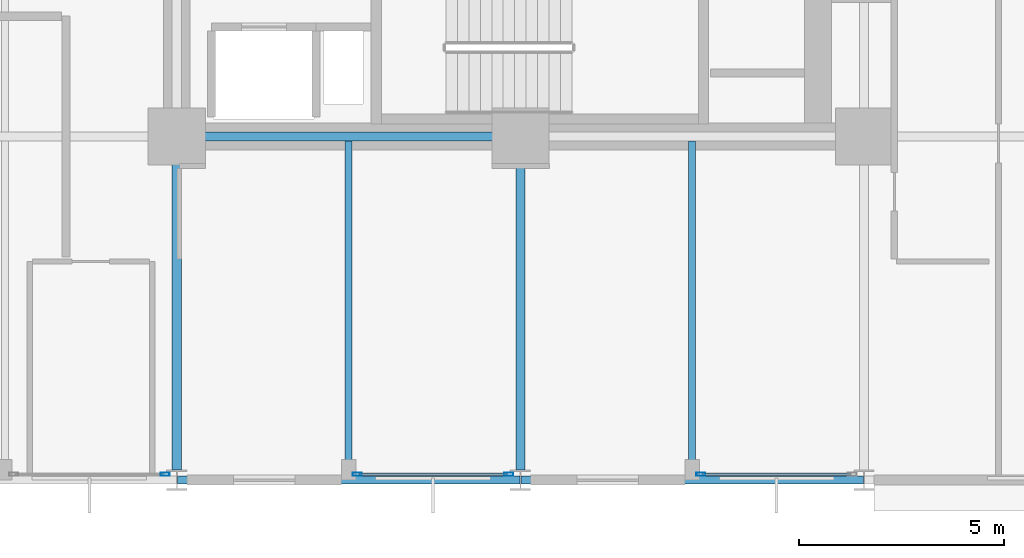
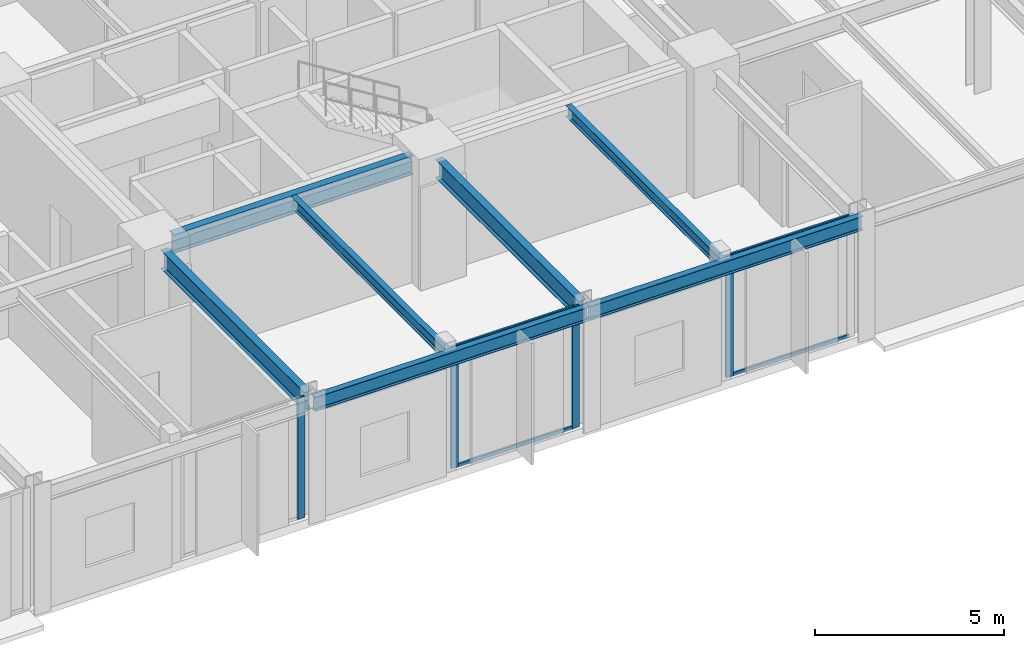
# One storey, part 6 of 30: 8 members, 7 beams, 3 elements without a shape of their own.
"""IFC4 building model written with IfcOpenShell, lengths in metres."""

from ifc_helpers import new_model, si_unit, direction, frame, origin, origin_2d, place, context, subcontext, project, spatial, hollow_rectangle, i_section, extrude, material, layer, layer_set, material_profile, profile_set, type_object, element, aggregate, save


model = new_model("IFC4")

# Units and contexts
model_context = context("Model", 3, precision=1e-05, world=origin(), true_north=direction((0.0, 1.0)))
body_context = subcontext(model_context, "Body", "Model", "MODEL_VIEW")
ifc_project = project(units=[si_unit("LENGTHUNIT", "METRE"), si_unit("AREAUNIT", "SQUARE_METRE"), si_unit("VOLUMEUNIT", "CUBIC_METRE"), si_unit("PLANEANGLEUNIT", "RADIAN"), si_unit("MASSUNIT", "GRAM", prefix="KILO")], contexts=[model_context])

# Site, building, storey
site_placement = place(None, origin())
site = spatial("IfcSite", under=ifc_project, at=site_placement, CompositionType="ELEMENT")
building_placement = place(site_placement, origin())
building = spatial("IfcBuilding", under=site, at=building_placement, Name="Nerrivon Quay Data Exchange", CompositionType="ELEMENT")
storey_placement = place(building_placement, frame((0.0, 0.0, 62.60009765625)))
storey = spatial("IfcBuildingStorey", under=building, at=storey_placement, Name="L14", CompositionType="ELEMENT", Elevation=62.60009765625)

# Beams
ifc_material_1 = material(Name="Steel Grade 350", Category="steel")
ifc_material_profile_1 = material_profile(ifc_material_1, i_section(OverallWidth=0.22900390625, OverallDepth=0.612060546875, WebThickness=0.011962890625, FlangeThickness=0.01953125, FilletRadius=0.013916015625, at=origin_2d()), Name="610UB125")
ifc_profile_set_1 = profile_set([ifc_material_profile_1], Name="Steel Grade 350")
beam_type_1 = type_object("IfcBeamType", Name="BM-G1-610UB125", PredefinedType="BEAM", material=ifc_profile_set_1)
beam_1_placement = place(storey_placement, frame((17.340087890625, 8.39990234375, 3.618896484375), z_axis=(1.0, 0.0, 0.0), x_axis=(0.0, 1.0, 0.0)))
element("IfcBeam", 1, at=beam_1_placement, inside=storey, type_object=beam_type_1, Name="L14 EW Girder Y=8.4 (16.8..25.2)", PredefinedType="BEAM", context=body_context, shape_type="SweptSolid", body=[
    extrude(i_section(OverallWidth=0.22900390625, OverallDepth=0.612060546875, WebThickness=0.011962890625, FlangeThickness=0.01953125, FilletRadius=0.013916015625, at=origin_2d()), origin(), (0.0, 0.0, 1.0), 7.31982421875),
])
ifc_material_profile_2 = material_profile(ifc_material_1, i_section(OverallWidth=0.22802734375, OverallDepth=0.60205078125, WebThickness=0.010498046875, FlangeThickness=0.014892578125, FilletRadius=0.013916015625, at=origin_2d()), Name="610UB101")
ifc_profile_set_2 = profile_set([ifc_material_profile_2], Name="Steel Grade 350")
beam_type_2 = type_object("IfcBeamType", Name="BM-G2-610UB101", PredefinedType="BEAM", material=ifc_profile_set_2)
for number, where, z_axis, x_axis, name in (
    (2, (16.800048828125, 0.25, 3.6240234375), (0.0, 1.0, 0.0), (-1.0, 0.0, 0.0), "L14 NS Girder X=16.8 (0.0..8.4)"),
    (3, (25.199951171875, 0.25, 3.6240234375), (0.0, 1.0, 0.0), (-1.0, 0.0, 0.0), "L14 NS Girder X=25.2 (0.0..8.4)"),
):
    element("IfcBeam", number, at=place(storey_placement, frame(where, z_axis=z_axis, x_axis=x_axis)), inside=storey, type_object=beam_type_2, Name=name, PredefinedType="BEAM", context=body_context, shape_type="SweptSolid", body=[
        extrude(i_section(OverallWidth=0.22802734375, OverallDepth=0.60205078125, WebThickness=0.010498046875, FlangeThickness=0.014892578125, FilletRadius=0.013916015625, at=origin_2d()), origin(), (0.0, 0.0, 1.0), 7.610107421875),
    ])
ifc_material_profile_3 = material_profile(ifc_material_1, i_section(OverallWidth=0.172119140625, OverallDepth=0.35888671875, WebThickness=0.008056640625, FlangeThickness=0.012939453125, FilletRadius=0.011474609375, at=origin_2d()), Name="360UB56.7")
ifc_profile_set_3 = profile_set([ifc_material_profile_3], Name="Steel Grade 350")
beam_type_3 = type_object("IfcBeamType", Name="BM-J3-360UB57", PredefinedType="JOIST", material=ifc_profile_set_3)
for number, where, z_axis, x_axis, name in (
    (4, (21.0, 0.094970703125, 3.745361328125), (0.0, 1.0, 0.0), (-1.0, 0.0, 0.0), "L14 Secondary Joist X=21.0 (0.0..8.4)"),
    (5, (29.39990234375, 0.094970703125, 3.745361328125), (0.0, 1.0, 0.0), (-1.0, 0.0, 0.0), "L14 Secondary Joist X=29.4 (0.0..8.4)"),
):
    element("IfcBeam", number, at=place(storey_placement, frame(where, z_axis=z_axis, x_axis=x_axis)), inside=storey, type_object=beam_type_3, Name=name, PredefinedType="JOIST", context=body_context, shape_type="SweptSolid", body=[
        extrude(i_section(OverallWidth=0.172119140625, OverallDepth=0.35888671875, WebThickness=0.008056640625, FlangeThickness=0.012939453125, FilletRadius=0.011474609375, at=origin_2d()), origin(), (0.0, 0.0, 1.0), 8.1904296875),
    ])
ifc_material_profile_4 = material_profile(ifc_material_1, i_section(OverallWidth=0.18994140625, OverallDepth=0.4541015625, WebThickness=0.008544921875, FlangeThickness=0.0126953125, FilletRadius=0.011474609375, at=origin_2d()), Name="460UB67.1")
ifc_profile_set_4 = profile_set([ifc_material_profile_4], Name="Steel Grade 350")
beam_type_4 = type_object("IfcBeamType", Name="BM-SP1-460UB67", PredefinedType="SPANDREL", material=ifc_profile_set_4)
beam_2_placement = place(storey_placement, frame((16.81396484375, 0.0, 3.697998046875), z_axis=(1.0, 0.0, 0.0), x_axis=(0.0, 1.0, 0.0)))
element("IfcBeam", 6, at=beam_2_placement, inside=storey, type_object=beam_type_4, Name="L14 EW Girder Y=0.0 (16.8..25.2)", PredefinedType="SPANDREL", context=body_context, shape_type="SweptSolid", body=[
    extrude(i_section(OverallWidth=0.18994140625, OverallDepth=0.4541015625, WebThickness=0.008544921875, FlangeThickness=0.0126953125, FilletRadius=0.011474609375, at=origin_2d()), origin(), (0.0, 0.0, 1.0), 8.3720703125),
])
beam_3_placement = place(storey_placement, frame((25.214111328125, 0.0, 3.697998046875), z_axis=(1.0, 0.0, 0.0), x_axis=(0.0, 1.0, 0.0)))
element("IfcBeam", 7, at=beam_3_placement, inside=storey, type_object=beam_type_4, Name="L14 EW Girder Y=0.0 (25.2..33.6)", PredefinedType="SPANDREL", context=body_context, shape_type="SweptSolid", body=[
    extrude(i_section(OverallWidth=0.18994140625, OverallDepth=0.4541015625, WebThickness=0.008544921875, FlangeThickness=0.0126953125, FilletRadius=0.011474609375, at=origin_2d()), origin(), (0.0, 0.0, 1.0), 8.371826171875),
])

# Curtain wall, member
ifc_material_2 = material(Name="Anodised aluminium 6063-T6", Category="aluminium")
ifc_layer = layer(ifc_material_2, 0.219970703125)
ifc_layer_set = layer_set([ifc_layer], Name="Anodised aluminium 6063-T6")
curtain_wall_type = type_object("IfcCurtainWallType", Name="CW-SYS-01", PredefinedType="NOTDEFINED", material=ifc_layer_set)
curtain_wall_1_placement = place(storey_placement, origin())
curtain_wall_1 = element("IfcCurtainWall", 8, at=curtain_wall_1_placement, inside=storey, type_object=curtain_wall_type, Name="L14 Unitised Curtain Wall 8", PredefinedType="NOTDEFINED")
ifc_material_profile_5 = material_profile(ifc_material_2, hollow_rectangle(XDim=0.074951171875, YDim=0.219970703125, WallThickness=0.00390625, at=origin_2d()), Name="ALU-MULL-220x75")
ifc_profile_set_5 = profile_set([ifc_material_profile_5], Name="Anodised aluminium 6063-T6")
member_type_1 = type_object("IfcMemberType", Name="CWM-220x75", PredefinedType="MULLION", material=ifc_profile_set_5)
member_1_placement = place(storey_placement, frame((29.612548828125, 0.139892578125, 0.0), z_axis=(0.0, 0.0, 1.0), x_axis=(0.0, -1.0, 0.0)))
member_1 = element("IfcMember", 9, at=member_1_placement, type_object=member_type_1, Name="CW01 mullion 2", PredefinedType="MULLION", context=body_context, shape_type="SweptSolid", body=[
    extrude(hollow_rectangle(XDim=0.074951171875, YDim=0.219970703125, WallThickness=0.00390625, at=origin_2d()), origin(), (0.0, 0.0, 1.0), 3.9248046875),
])

# Curtain wall, members
curtain_wall_2_placement = place(storey_placement, origin())
curtain_wall_2 = element("IfcCurtainWall", 10, at=curtain_wall_2_placement, inside=storey, type_object=curtain_wall_type, Name="L14 Unitised Curtain Wall 10", PredefinedType="NOTDEFINED")
member_2_placement = place(storey_placement, frame((24.91259765625, 0.139892578125, 0.0), z_axis=(0.0, 0.0, 1.0), x_axis=(0.0, -1.0, 0.0)))
member_2 = element("IfcMember", 11, at=member_2_placement, type_object=member_type_1, Name="CW01 mullion 1", PredefinedType="MULLION", context=body_context, shape_type="SweptSolid", body=[
    extrude(hollow_rectangle(XDim=0.074951171875, YDim=0.219970703125, WallThickness=0.00390625, at=origin_2d()), origin(), (0.0, 0.0, 1.0), 3.9248046875),
])
member_3_placement = place(storey_placement, frame((21.21240234375, 0.139892578125, 0.0), z_axis=(0.0, 0.0, 1.0), x_axis=(0.0, -1.0, 0.0)))
member_3 = element("IfcMember", 12, at=member_3_placement, type_object=member_type_1, Name="CW01 mullion 2", PredefinedType="MULLION", context=body_context, shape_type="SweptSolid", body=[
    extrude(hollow_rectangle(XDim=0.074951171875, YDim=0.219970703125, WallThickness=0.00390625, at=origin_2d()), origin(), (0.0, 0.0, 1.0), 3.9248046875),
])

# Curtain wall, member
curtain_wall_3_placement = place(storey_placement, origin())
curtain_wall_3 = element("IfcCurtainWall", 13, at=curtain_wall_3_placement, inside=storey, type_object=curtain_wall_type, Name="L14 Unitised Curtain Wall 12", PredefinedType="NOTDEFINED")
member_4_placement = place(storey_placement, frame((16.512451171875, 0.139892578125, 0.0), z_axis=(0.0, 0.0, 1.0), x_axis=(0.0, -1.0, 0.0)))
member_4 = element("IfcMember", 14, at=member_4_placement, type_object=member_type_1, Name="CW01 mullion 1", PredefinedType="MULLION", context=body_context, shape_type="SweptSolid", body=[
    extrude(hollow_rectangle(XDim=0.074951171875, YDim=0.219970703125, WallThickness=0.00390625, at=origin_2d()), origin(), (0.0, 0.0, 1.0), 3.9248046875),
])
aggregate(curtain_wall_3, [member_4])

# Member
ifc_material_profile_6 = material_profile(ifc_material_2, hollow_rectangle(XDim=0.06005859375, YDim=0.1201171875, WallThickness=0.003173828125, at=origin_2d()), Name="ALU-TRAN-120x60")
ifc_profile_set_6 = profile_set([ifc_material_profile_6], Name="Anodised aluminium 6063-T6")
member_type_2 = type_object("IfcMemberType", Name="CWT-120x60", PredefinedType="USERDEFINED", material=ifc_profile_set_6)
member_5_placement = place(storey_placement, frame((33.27490234375, 0.139892578125, 0.032470703125), z_axis=(-1.0, 0.0, 0.0), x_axis=(0.0, -1.0, 0.0)))
member_5 = element("IfcMember", 15, at=member_5_placement, type_object=member_type_2, Name="CW01 transom 1.1", ObjectType="TRANSOM", PredefinedType="USERDEFINED", context=body_context, shape_type="SweptSolid", body=[
    extrude(hollow_rectangle(XDim=0.06005859375, YDim=0.1201171875, WallThickness=0.003173828125, at=origin_2d()), origin(), (0.0, 0.0, 1.0), 3.625),
])

member_6_placement = place(storey_placement, frame((33.27490234375, 0.139892578125, 3.892333984375), z_axis=(-1.0, 0.0, 0.0), x_axis=(0.0, -1.0, 0.0)))
member_6 = element("IfcMember", 16, at=member_6_placement, type_object=member_type_2, Name="CW01 transom 1.2", ObjectType="TRANSOM", PredefinedType="USERDEFINED", context=body_context, shape_type="SweptSolid", body=[
    extrude(hollow_rectangle(XDim=0.06005859375, YDim=0.1201171875, WallThickness=0.003173828125, at=origin_2d()), origin(), (0.0, 0.0, 1.0), 3.625),
])

aggregate(curtain_wall_1, [member_1, member_5, member_6])

member_7_placement = place(storey_placement, frame((24.875, 0.139892578125, 0.032470703125), z_axis=(-1.0, 0.0, 0.0), x_axis=(0.0, -1.0, 0.0)))
member_7 = element("IfcMember", 17, at=member_7_placement, type_object=member_type_2, Name="CW01 transom 1.1", ObjectType="TRANSOM", PredefinedType="USERDEFINED", context=body_context, shape_type="SweptSolid", body=[
    extrude(hollow_rectangle(XDim=0.06005859375, YDim=0.1201171875, WallThickness=0.003173828125, at=origin_2d()), origin(), (0.0, 0.0, 1.0), 3.625),
])

member_8_placement = place(storey_placement, frame((24.875, 0.139892578125, 3.892333984375), z_axis=(-1.0, 0.0, 0.0), x_axis=(0.0, -1.0, 0.0)))
member_8 = element("IfcMember", 18, at=member_8_placement, type_object=member_type_2, Name="CW01 transom 1.2", ObjectType="TRANSOM", PredefinedType="USERDEFINED", context=body_context, shape_type="SweptSolid", body=[
    extrude(hollow_rectangle(XDim=0.06005859375, YDim=0.1201171875, WallThickness=0.003173828125, at=origin_2d()), origin(), (0.0, 0.0, 1.0), 3.625),
])

aggregate(curtain_wall_2, [member_2, member_3, member_7, member_8])

save(model, "model.ifc")
